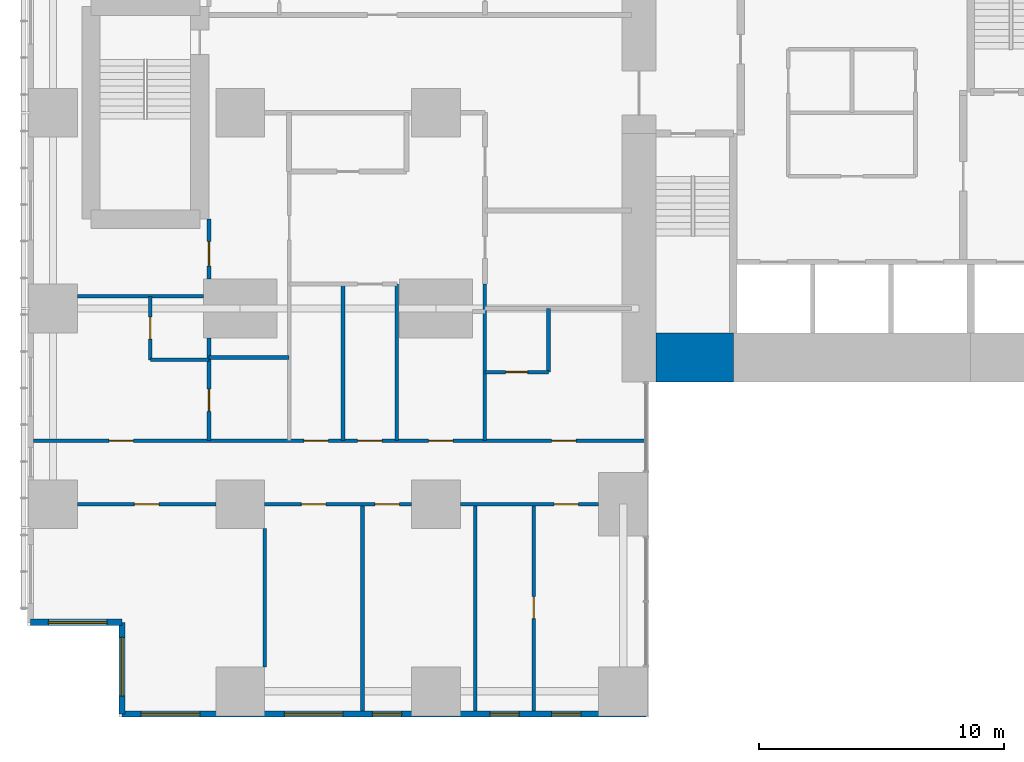
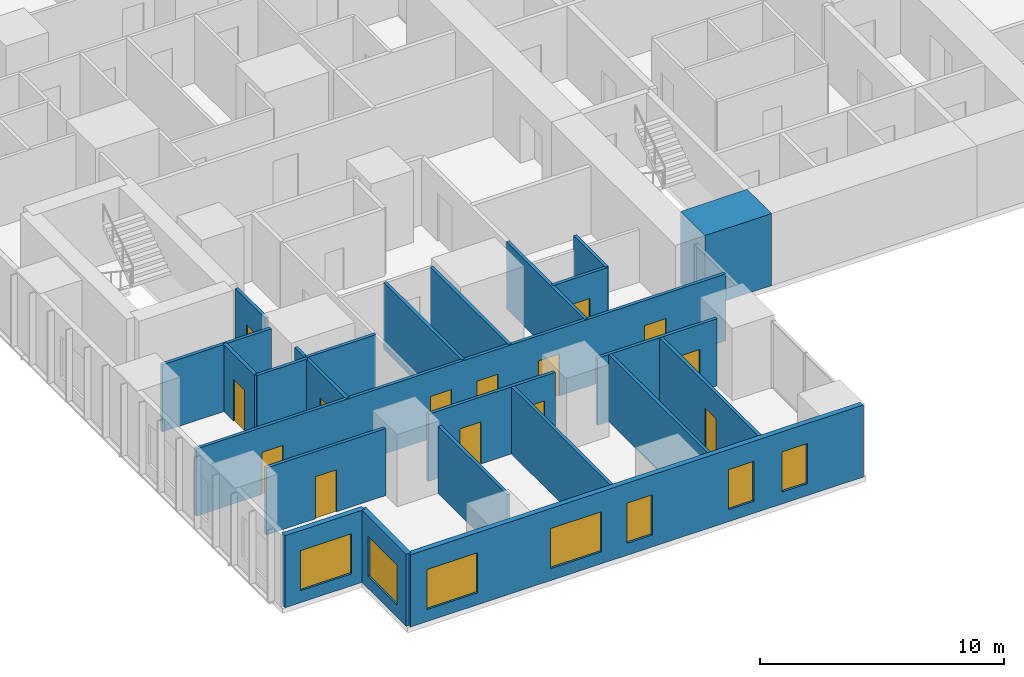
# One storey, part 12 of 20: 23 walls, 14 doors, 7 windows, 21 openings.
"""IFC4 building model written with IfcOpenShell, lengths in metres."""

from ifc_helpers import new_model, si_unit, direction, frame, frame_2d, origin, place, context, subcontext, project, spatial, rectangle, extrude, material, layer, layer_set, type_object, element, fill, save


model = new_model("IFC4")

# Units and contexts
model_context = context("Model", 3, precision=1e-05, world=origin(), true_north=direction((0.0, 1.0)))
body_context = subcontext(model_context, "Body", "Model", "MODEL_VIEW")
ifc_project = project(units=[si_unit("LENGTHUNIT", "METRE"), si_unit("AREAUNIT", "SQUARE_METRE"), si_unit("VOLUMEUNIT", "CUBIC_METRE"), si_unit("PLANEANGLEUNIT", "RADIAN"), si_unit("MASSUNIT", "GRAM", prefix="KILO")], contexts=[model_context])

# Site, building, storey
site_placement = place(None, origin())
site = spatial("IfcSite", under=ifc_project, at=site_placement, CompositionType="ELEMENT")
building_placement = place(site_placement, origin())
building = spatial("IfcBuilding", under=site, at=building_placement, Name="Cleftline Residences", CompositionType="ELEMENT")
storey_placement = place(building_placement, frame((0.0, 0.0, 47.60009765625)))
storey = spatial("IfcBuildingStorey", under=building, at=storey_placement, Name="L11", CompositionType="ELEMENT", Elevation=47.60009765625)

# Wall
ifc_material_1 = material(Name="Concrete B70", Category="concrete")
ifc_layer_1 = layer(ifc_material_1, 2.0)
ifc_layer_set_1 = layer_set([ifc_layer_1], Name="CORE WALL 2000")
wall_type_1 = type_object("IfcWallType", Name="CORE WALL 2000", PredefinedType="SHEAR", material=ifc_layer_set_1)
wall_1_placement = place(storey_placement, frame((25.0, 14.0, 0.0), z_axis=(0.0, 0.0, 1.0), x_axis=(1.0, 0.0, 0.0)))
element("IfcWall", 1, at=wall_1_placement, inside=storey, type_object=wall_type_1, Name="Core wall S1", PredefinedType="SHEAR", context=body_context, shape_type="SweptSolid", body=[
    extrude(rectangle(XDim=3.14990234375, YDim=2.0, at=frame_2d((1.574951171875, 0.0))), origin(), (0.0, 0.0, 1.0), 3.599853515625),
])

# Wall, opening, window
ifc_material_2 = material(Name="Rendered reinforced concrete blockwork", Category="masonry")
ifc_layer_2 = layer(ifc_material_2, 0.25)
ifc_layer_set_2 = layer_set([ifc_layer_2], Name="EXTERNAL WALL 250")
wall_type_2 = type_object("IfcWallType", Name="EXTERNAL WALL 250", PredefinedType="SOLIDWALL", material=ifc_layer_set_2)
wall_2_placement = place(storey_placement, frame((-0.574951171875, 3.175048828125, 0.0), z_axis=(0.0, 0.0, 1.0), x_axis=(1.0, 0.0, 0.0)))
wall_2 = element("IfcWall", 2, at=wall_2_placement, inside=storey, type_object=wall_type_2, Name="External wall", PredefinedType="SOLIDWALL", context=body_context, shape_type="SweptSolid", body=[
    extrude(rectangle(XDim=3.75, YDim=0.25, at=frame_2d((1.875, 0.0))), origin(), (0.0, 0.0, 1.0), 3.599853515625),
])
opening_1_placement = place(wall_2_placement, frame((0.737548828125, 0.0, 0.60009765625)))
opening_1 = element("IfcOpeningElement", 3, at=opening_1_placement, cuts=wall_2, Name="Opening W6", PredefinedType="OPENING", context=body_context, shape_type="SweptSolid", body=[
    extrude(rectangle(XDim=2.39990234375, YDim=2.0, at=frame_2d((1.199951171875, 1.0))), frame((0.0, 0.135009765625, 0.0), z_axis=(0.0, -1.0, 0.0), x_axis=(1.0, 0.0, 0.0)), (0.0, 0.0, 1.0), 0.27001953125),
])
ifc_material_3 = material(Name="Aluminium frame, clear double glazing", Category="aluminium")
window_type_1 = type_object("IfcWindowType", Name="WINDOW 2400X2000", PartitioningType="DOUBLE_PANEL_VERTICAL", PredefinedType="WINDOW", material=ifc_material_3)
window_1_placement = place(opening_1_placement, origin())
window_1 = element("IfcWindow", 4, at=window_1_placement, inside=storey, type_object=window_type_1, Name="Window", OverallHeight=2.0, OverallWidth=2.39990234375, PartitioningType="SINGLE_PANEL", PredefinedType="WINDOW", context=body_context, shape_type="SweptSolid", body=[
    extrude(rectangle(XDim=2.39990234375, YDim=2.0, at=frame_2d((1.199951171875, 1.0))), frame((0.0, 0.030029296875, 0.0), z_axis=(0.0, -1.0, 0.0), x_axis=(1.0, 0.0, 0.0)), (0.0, 0.0, 1.0), 0.06005859375),
])
fill(opening_1, window_1)

wall_3_placement = place(storey_placement, frame((3.175048828125, 3.175048828125, 0.0), z_axis=(0.0, 0.0, 1.0), x_axis=(0.0, -1.0, 0.0)))
wall_3 = element("IfcWall", 5, at=wall_3_placement, inside=storey, type_object=wall_type_2, Name="External wall", PredefinedType="SOLIDWALL", context=body_context, shape_type="SweptSolid", body=[
    extrude(rectangle(XDim=3.75, YDim=0.25, at=frame_2d((1.875, 0.0))), origin(), (0.0, 0.0, 1.0), 3.599853515625),
])
opening_2_placement = place(wall_3_placement, frame((0.612548828125, 0.0, 0.60009765625)))
opening_2 = element("IfcOpeningElement", 6, at=opening_2_placement, cuts=wall_3, Name="Opening W6", PredefinedType="OPENING", context=body_context, shape_type="SweptSolid", body=[
    extrude(rectangle(XDim=2.39990234375, YDim=2.0, at=frame_2d((1.199951171875, 1.0))), frame((0.0, 0.135009765625, 0.0), z_axis=(0.0, -1.0, 0.0), x_axis=(1.0, 0.0, 0.0)), (0.0, 0.0, 1.0), 0.27001953125),
])
window_2_placement = place(opening_2_placement, origin())
window_2 = element("IfcWindow", 7, at=window_2_placement, inside=storey, type_object=window_type_1, Name="Window", OverallHeight=2.0, OverallWidth=2.39990234375, PartitioningType="SINGLE_PANEL", PredefinedType="WINDOW", context=body_context, shape_type="SweptSolid", body=[
    extrude(rectangle(XDim=2.39990234375, YDim=2.0, at=frame_2d((1.199951171875, 1.0))), frame((0.0, 0.030029296875, 0.0), z_axis=(0.0, -1.0, 0.0), x_axis=(1.0, 0.0, 0.0)), (0.0, 0.0, 1.0), 0.06005859375),
])
fill(opening_2, window_2)

# Wall, openings, windows
wall_4_placement = place(storey_placement, frame((3.175048828125, -0.574951171875, 0.0), z_axis=(0.0, 0.0, 1.0), x_axis=(1.0, 0.0, 0.0)))
wall_4 = element("IfcWall", 8, at=wall_4_placement, inside=storey, type_object=wall_type_2, Name="External wall", PredefinedType="SOLIDWALL", context=body_context, shape_type="SweptSolid", body=[
    extrude(rectangle(XDim=21.39990234375, YDim=0.25, at=frame_2d((10.699951171875, 0.0))), origin(), (0.0, 0.0, 1.0), 3.599853515625),
])
opening_3_placement = place(wall_4_placement, frame((0.77490234375, 0.0, 0.60009765625)))
opening_3 = element("IfcOpeningElement", 9, at=opening_3_placement, cuts=wall_4, Name="Opening W6", PredefinedType="OPENING", context=body_context, shape_type="SweptSolid", body=[
    extrude(rectangle(XDim=2.39990234375, YDim=2.0, at=frame_2d((1.199951171875, 1.0))), frame((0.0, 0.135009765625, 0.0), z_axis=(0.0, -1.0, 0.0), x_axis=(1.0, 0.0, 0.0)), (0.0, 0.0, 1.0), 0.27001953125),
])
opening_4_placement = place(wall_4_placement, frame((6.625, 0.0, 0.60009765625)))
opening_4 = element("IfcOpeningElement", 10, at=opening_4_placement, cuts=wall_4, Name="Opening W6", PredefinedType="OPENING", context=body_context, shape_type="SweptSolid", body=[
    extrude(rectangle(XDim=2.39990234375, YDim=2.0, at=frame_2d((1.199951171875, 1.0))), frame((0.0, 0.135009765625, 0.0), z_axis=(0.0, -1.0, 0.0), x_axis=(1.0, 0.0, 0.0)), (0.0, 0.0, 1.0), 0.27001953125),
])
opening_5_placement = place(wall_4_placement, frame((10.22509765625, 0.0, 0.60009765625)))
opening_5 = element("IfcOpeningElement", 11, at=opening_5_placement, cuts=wall_4, Name="Opening W8", PredefinedType="OPENING", context=body_context, shape_type="SweptSolid", body=[
    extrude(rectangle(XDim=1.199951171875, YDim=2.0, at=frame_2d((0.60009765625, 1.0))), frame((0.0, 0.135009765625, 0.0), z_axis=(0.0, -1.0, 0.0), x_axis=(1.0, 0.0, 0.0)), (0.0, 0.0, 1.0), 0.27001953125),
])
opening_6_placement = place(wall_4_placement, frame((15.02490234375, 0.0, 0.60009765625)))
opening_6 = element("IfcOpeningElement", 12, at=opening_6_placement, cuts=wall_4, Name="Opening W8", PredefinedType="OPENING", context=body_context, shape_type="SweptSolid", body=[
    extrude(rectangle(XDim=1.199951171875, YDim=2.0, at=frame_2d((0.60009765625, 1.0))), frame((0.0, 0.135009765625, 0.0), z_axis=(0.0, -1.0, 0.0), x_axis=(1.0, 0.0, 0.0)), (0.0, 0.0, 1.0), 0.27001953125),
])
opening_7_placement = place(wall_4_placement, frame((17.550048828125, 0.0, 0.60009765625)))
opening_7 = element("IfcOpeningElement", 13, at=opening_7_placement, cuts=wall_4, Name="Opening W8", PredefinedType="OPENING", context=body_context, shape_type="SweptSolid", body=[
    extrude(rectangle(XDim=1.199951171875, YDim=2.0, at=frame_2d((0.60009765625, 1.0))), frame((0.0, 0.135009765625, 0.0), z_axis=(0.0, -1.0, 0.0), x_axis=(1.0, 0.0, 0.0)), (0.0, 0.0, 1.0), 0.27001953125),
])
ifc_material_4 = material(Name="Aluminium frame, clear double glazing", Category="aluminium")
window_type_2 = type_object("IfcWindowType", Name="WINDOW 1200X2000", PartitioningType="DOUBLE_PANEL_VERTICAL", PredefinedType="WINDOW", material=ifc_material_4)
window_3_placement = place(opening_5_placement, origin())
window_3 = element("IfcWindow", 14, at=window_3_placement, inside=storey, type_object=window_type_2, Name="Window", OverallHeight=2.0, OverallWidth=1.199951171875, PartitioningType="SINGLE_PANEL", PredefinedType="WINDOW", context=body_context, shape_type="SweptSolid", body=[
    extrude(rectangle(XDim=1.199951171875, YDim=2.0, at=frame_2d((0.60009765625, 1.0))), frame((0.0, 0.030029296875, 0.0), z_axis=(0.0, -1.0, 0.0), x_axis=(1.0, 0.0, 0.0)), (0.0, 0.0, 1.0), 0.06005859375),
])
fill(opening_5, window_3)
window_4_placement = place(opening_6_placement, origin())
window_4 = element("IfcWindow", 15, at=window_4_placement, inside=storey, type_object=window_type_2, Name="Window", OverallHeight=2.0, OverallWidth=1.199951171875, PartitioningType="SINGLE_PANEL", PredefinedType="WINDOW", context=body_context, shape_type="SweptSolid", body=[
    extrude(rectangle(XDim=1.199951171875, YDim=2.0, at=frame_2d((0.60009765625, 1.0))), frame((0.0, 0.030029296875, 0.0), z_axis=(0.0, -1.0, 0.0), x_axis=(1.0, 0.0, 0.0)), (0.0, 0.0, 1.0), 0.06005859375),
])
fill(opening_6, window_4)
window_5_placement = place(opening_7_placement, origin())
window_5 = element("IfcWindow", 16, at=window_5_placement, inside=storey, type_object=window_type_2, Name="Window", OverallHeight=2.0, OverallWidth=1.199951171875, PartitioningType="SINGLE_PANEL", PredefinedType="WINDOW", context=body_context, shape_type="SweptSolid", body=[
    extrude(rectangle(XDim=1.199951171875, YDim=2.0, at=frame_2d((0.60009765625, 1.0))), frame((0.0, 0.030029296875, 0.0), z_axis=(0.0, -1.0, 0.0), x_axis=(1.0, 0.0, 0.0)), (0.0, 0.0, 1.0), 0.06005859375),
])
fill(opening_7, window_5)
window_6_placement = place(opening_3_placement, origin())
window_6 = element("IfcWindow", 17, at=window_6_placement, inside=storey, type_object=window_type_1, Name="Window", OverallHeight=2.0, OverallWidth=2.39990234375, PartitioningType="SINGLE_PANEL", PredefinedType="WINDOW", context=body_context, shape_type="SweptSolid", body=[
    extrude(rectangle(XDim=2.39990234375, YDim=2.0, at=frame_2d((1.199951171875, 1.0))), frame((0.0, 0.030029296875, 0.0), z_axis=(0.0, -1.0, 0.0), x_axis=(1.0, 0.0, 0.0)), (0.0, 0.0, 1.0), 0.06005859375),
])
fill(opening_3, window_6)
window_7_placement = place(opening_4_placement, origin())
window_7 = element("IfcWindow", 18, at=window_7_placement, inside=storey, type_object=window_type_1, Name="Window", OverallHeight=2.0, OverallWidth=2.39990234375, PartitioningType="SINGLE_PANEL", PredefinedType="WINDOW", context=body_context, shape_type="SweptSolid", body=[
    extrude(rectangle(XDim=2.39990234375, YDim=2.0, at=frame_2d((1.199951171875, 1.0))), frame((0.0, 0.030029296875, 0.0), z_axis=(0.0, -1.0, 0.0), x_axis=(1.0, 0.0, 0.0)), (0.0, 0.0, 1.0), 0.06005859375),
])
fill(opening_4, window_7)

# Wall, opening, door
ifc_material_5 = material(Name="Gypsum board on steel studs", Category="steel")
ifc_layer_3 = layer(ifc_material_5, 0.14990234375)
ifc_layer_set_3 = layer_set([ifc_layer_3], Name="PARTITION 150")
wall_type_3 = type_object("IfcWallType", Name="PARTITION 150", PredefinedType="PARTITIONING", material=ifc_layer_set_3)
wall_5_placement = place(storey_placement, frame((1.35009765625, 8.0, 0.0), z_axis=(0.0, 0.0, 1.0), x_axis=(1.0, 0.0, 0.0)))
wall_5 = element("IfcWall", 19, at=wall_5_placement, inside=storey, type_object=wall_type_3, Name="Partition", PredefinedType="PARTITIONING", context=body_context, shape_type="SweptSolid", body=[
    extrude(rectangle(XDim=5.64990234375, YDim=0.14990234375, at=frame_2d((2.824951171875, 0.0))), origin(), (0.0, 0.0, 1.0), 3.349853515625),
])
opening_8_placement = place(wall_5_placement, frame((2.324951171875, 0.0, 0.0)))
opening_8 = element("IfcOpeningElement", 20, at=opening_8_placement, cuts=wall_5, Name="Opening D2", PredefinedType="OPENING", context=body_context, shape_type="SweptSolid", body=[
    extrude(rectangle(XDim=1.0, YDim=2.10009765625, at=frame_2d((0.5, 1.050048828125))), frame((0.0, 0.0849609375, 0.0), z_axis=(0.0, -1.0, 0.0), x_axis=(1.0, 0.0, 0.0)), (0.0, 0.0, 1.0), 0.169921875),
])
ifc_material_6 = material(Name="Timber veneer on solid core", Category="wood")
door_type_1 = type_object("IfcDoorType", Name="DOOR 1000X2100", OperationType="SINGLE_SWING_LEFT", PredefinedType="DOOR", material=ifc_material_6)
door_1_placement = place(opening_8_placement, origin())
door_1 = element("IfcDoor", 21, at=door_1_placement, inside=storey, type_object=door_type_1, Name="Door to living room", OperationType="SINGLE_SWING_LEFT", OverallHeight=2.10009765625, OverallWidth=1.0, PredefinedType="DOOR", context=body_context, shape_type="SweptSolid", body=[
    extrude(rectangle(XDim=1.0, YDim=2.10009765625, at=frame_2d((0.5, 1.050048828125))), frame((0.0, 0.02490234375, 0.0), z_axis=(0.0, -1.0, 0.0), x_axis=(1.0, 0.0, 0.0)), (0.0, 0.0, 1.0), 0.050048828125),
])
fill(opening_8, door_1)

# Wall, openings, doors
wall_6_placement = place(storey_placement, frame((9.0, 8.0, 0.0), z_axis=(0.0, 0.0, 1.0), x_axis=(1.0, 0.0, 0.0)))
wall_6 = element("IfcWall", 22, at=wall_6_placement, inside=storey, type_object=wall_type_3, Name="Partition", PredefinedType="PARTITIONING", context=body_context, shape_type="SweptSolid", body=[
    extrude(rectangle(XDim=6.0, YDim=0.14990234375, at=frame_2d((3.0, 0.0))), origin(), (0.0, 0.0, 1.0), 3.349853515625),
])
opening_9_placement = place(wall_6_placement, frame((1.5, 0.0, 0.0)))
opening_9 = element("IfcOpeningElement", 23, at=opening_9_placement, cuts=wall_6, Name="Opening D2", PredefinedType="OPENING", context=body_context, shape_type="SweptSolid", body=[
    extrude(rectangle(XDim=1.0, YDim=2.10009765625, at=frame_2d((0.5, 1.050048828125))), frame((0.0, 0.0849609375, 0.0), z_axis=(0.0, -1.0, 0.0), x_axis=(1.0, 0.0, 0.0)), (0.0, 0.0, 1.0), 0.169921875),
])
opening_10_placement = place(wall_6_placement, frame((4.5, 0.0, 0.0)))
opening_10 = element("IfcOpeningElement", 24, at=opening_10_placement, cuts=wall_6, Name="Opening D2", PredefinedType="OPENING", context=body_context, shape_type="SweptSolid", body=[
    extrude(rectangle(XDim=1.0, YDim=2.10009765625, at=frame_2d((0.5, 1.050048828125))), frame((0.0, 0.0849609375, 0.0), z_axis=(0.0, -1.0, 0.0), x_axis=(1.0, 0.0, 0.0)), (0.0, 0.0, 1.0), 0.169921875),
])
door_2_placement = place(opening_9_placement, origin())
door_2 = element("IfcDoor", 25, at=door_2_placement, inside=storey, type_object=door_type_1, Name="Door to dining room", OperationType="SINGLE_SWING_RIGHT", OverallHeight=2.10009765625, OverallWidth=1.0, PredefinedType="DOOR", context=body_context, shape_type="SweptSolid", body=[
    extrude(rectangle(XDim=1.0, YDim=2.10009765625, at=frame_2d((0.5, 1.050048828125))), frame((0.0, 0.02490234375, 0.0), z_axis=(0.0, -1.0, 0.0), x_axis=(1.0, 0.0, 0.0)), (0.0, 0.0, 1.0), 0.050048828125),
])
fill(opening_9, door_2)
door_3_placement = place(opening_10_placement, origin())
door_3 = element("IfcDoor", 26, at=door_3_placement, inside=storey, type_object=door_type_1, Name="Door to show kitchen", OperationType="SINGLE_SWING_LEFT", OverallHeight=2.10009765625, OverallWidth=1.0, PredefinedType="DOOR", context=body_context, shape_type="SweptSolid", body=[
    extrude(rectangle(XDim=1.0, YDim=2.10009765625, at=frame_2d((0.5, 1.050048828125))), frame((0.0, 0.02490234375, 0.0), z_axis=(0.0, -1.0, 0.0), x_axis=(1.0, 0.0, 0.0)), (0.0, 0.0, 1.0), 0.050048828125),
])
fill(opening_10, door_3)

# Wall, opening, door
wall_7_placement = place(storey_placement, frame((17.0, 8.0, 0.0), z_axis=(0.0, 0.0, 1.0), x_axis=(1.0, 0.0, 0.0)))
wall_7 = element("IfcWall", 27, at=wall_7_placement, inside=storey, type_object=wall_type_3, Name="Partition", PredefinedType="PARTITIONING", context=body_context, shape_type="SweptSolid", body=[
    extrude(rectangle(XDim=5.64990234375, YDim=0.14990234375, at=frame_2d((2.824951171875, 0.0))), origin(), (0.0, 0.0, 1.0), 3.349853515625),
])
opening_11_placement = place(wall_7_placement, frame((3.824951171875, 0.0, 0.0)))
opening_11 = element("IfcOpeningElement", 28, at=opening_11_placement, cuts=wall_7, Name="Opening D2", PredefinedType="OPENING", context=body_context, shape_type="SweptSolid", body=[
    extrude(rectangle(XDim=1.0, YDim=2.10009765625, at=frame_2d((0.5, 1.050048828125))), frame((0.0, 0.0849609375, 0.0), z_axis=(0.0, -1.0, 0.0), x_axis=(1.0, 0.0, 0.0)), (0.0, 0.0, 1.0), 0.169921875),
])
door_4_placement = place(opening_11_placement, origin())
door_4 = element("IfcDoor", 29, at=door_4_placement, inside=storey, type_object=door_type_1, Name="Door to bedroom 2", OperationType="SINGLE_SWING_LEFT", OverallHeight=2.10009765625, OverallWidth=1.0, PredefinedType="DOOR", context=body_context, shape_type="SweptSolid", body=[
    extrude(rectangle(XDim=1.0, YDim=2.10009765625, at=frame_2d((0.5, 1.050048828125))), frame((0.0, 0.02490234375, 0.0), z_axis=(0.0, -1.0, 0.0), x_axis=(1.0, 0.0, 0.0)), (0.0, 0.0, 1.0), 0.050048828125),
])
fill(opening_11, door_4)

# Wall, openings, doors
wall_8_placement = place(storey_placement, frame((-0.449951171875, 10.60009765625, 0.0), z_axis=(0.0, 0.0, 1.0), x_axis=(1.0, 0.0, 0.0)))
wall_8 = element("IfcWall", 30, at=wall_8_placement, inside=storey, type_object=wall_type_3, Name="Partition", PredefinedType="PARTITIONING", context=body_context, shape_type="SweptSolid", body=[
    extrude(rectangle(XDim=25.010986328125, YDim=0.14990234375, at=frame_2d((12.50537109375, 0.0))), origin(), (0.0, 0.0, 1.0), 3.349853515625),
])
opening_12_placement = place(wall_8_placement, frame((13.25, 0.0, 0.0)))
opening_12 = element("IfcOpeningElement", 31, at=opening_12_placement, cuts=wall_8, Name="Opening D2", PredefinedType="OPENING", context=body_context, shape_type="SweptSolid", body=[
    extrude(rectangle(XDim=1.0, YDim=2.10009765625, at=frame_2d((0.5, 1.050048828125))), frame((0.0, 0.0849609375, 0.0), z_axis=(0.0, -1.0, 0.0), x_axis=(1.0, 0.0, 0.0)), (0.0, 0.0, 1.0), 0.169921875),
])
opening_13_placement = place(wall_8_placement, frame((3.08740234375, 0.0, 0.0)))
opening_13 = element("IfcOpeningElement", 32, at=opening_13_placement, cuts=wall_8, Name="Opening D2", PredefinedType="OPENING", context=body_context, shape_type="SweptSolid", body=[
    extrude(rectangle(XDim=1.0, YDim=2.10009765625, at=frame_2d((0.5, 1.050048828125))), frame((0.0, 0.0849609375, 0.0), z_axis=(0.0, -1.0, 0.0), x_axis=(1.0, 0.0, 0.0)), (0.0, 0.0, 1.0), 0.169921875),
])
opening_14_placement = place(wall_8_placement, frame((11.050048828125, 0.0, 0.0)))
opening_14 = element("IfcOpeningElement", 33, at=opening_14_placement, cuts=wall_8, Name="Opening D2", PredefinedType="OPENING", context=body_context, shape_type="SweptSolid", body=[
    extrude(rectangle(XDim=1.0, YDim=2.10009765625, at=frame_2d((0.5, 1.050048828125))), frame((0.0, 0.0849609375, 0.0), z_axis=(0.0, -1.0, 0.0), x_axis=(1.0, 0.0, 0.0)), (0.0, 0.0, 1.0), 0.169921875),
])
opening_15_placement = place(wall_8_placement, frame((16.14990234375, 0.0, 0.0)))
opening_15 = element("IfcOpeningElement", 34, at=opening_15_placement, cuts=wall_8, Name="Opening D2", PredefinedType="OPENING", context=body_context, shape_type="SweptSolid", body=[
    extrude(rectangle(XDim=1.0, YDim=2.10009765625, at=frame_2d((0.5, 1.050048828125))), frame((0.0, 0.0849609375, 0.0), z_axis=(0.0, -1.0, 0.0), x_axis=(1.0, 0.0, 0.0)), (0.0, 0.0, 1.0), 0.169921875),
])
opening_16_placement = place(wall_8_placement, frame((21.175048828125, 0.0, 0.0)))
opening_16 = element("IfcOpeningElement", 35, at=opening_16_placement, cuts=wall_8, Name="Opening D2", PredefinedType="OPENING", context=body_context, shape_type="SweptSolid", body=[
    extrude(rectangle(XDim=1.0, YDim=2.10009765625, at=frame_2d((0.5, 1.050048828125))), frame((0.0, 0.0849609375, 0.0), z_axis=(0.0, -1.0, 0.0), x_axis=(1.0, 0.0, 0.0)), (0.0, 0.0, 1.0), 0.169921875),
])
door_5_placement = place(opening_12_placement, origin())
door_5 = element("IfcDoor", 36, at=door_5_placement, inside=storey, type_object=door_type_1, Name="Door to residence hall", OperationType="SINGLE_SWING_LEFT", OverallHeight=2.10009765625, OverallWidth=1.0, PredefinedType="DOOR", context=body_context, shape_type="SweptSolid", body=[
    extrude(rectangle(XDim=1.0, YDim=2.10009765625, at=frame_2d((0.5, 1.050048828125))), frame((0.0, 0.02490234375, 0.0), z_axis=(0.0, -1.0, 0.0), x_axis=(1.0, 0.0, 0.0)), (0.0, 0.0, 1.0), 0.050048828125),
])
fill(opening_12, door_5)
door_6_placement = place(opening_13_placement, origin())
door_6 = element("IfcDoor", 37, at=door_6_placement, inside=storey, type_object=door_type_1, Name="Door to master bedroom", OperationType="SINGLE_SWING_RIGHT", OverallHeight=2.10009765625, OverallWidth=1.0, PredefinedType="DOOR", context=body_context, shape_type="SweptSolid", body=[
    extrude(rectangle(XDim=1.0, YDim=2.10009765625, at=frame_2d((0.5, 1.050048828125))), frame((0.0, 0.02490234375, 0.0), z_axis=(0.0, -1.0, 0.0), x_axis=(1.0, 0.0, 0.0)), (0.0, 0.0, 1.0), 0.050048828125),
])
fill(opening_13, door_6)
door_7_placement = place(opening_14_placement, origin())
door_7 = element("IfcDoor", 38, at=door_7_placement, inside=storey, type_object=door_type_1, Name="Door to wet kitchen", OperationType="SINGLE_SWING_RIGHT", OverallHeight=2.10009765625, OverallWidth=1.0, PredefinedType="DOOR", context=body_context, shape_type="SweptSolid", body=[
    extrude(rectangle(XDim=1.0, YDim=2.10009765625, at=frame_2d((0.5, 1.050048828125))), frame((0.0, 0.02490234375, 0.0), z_axis=(0.0, -1.0, 0.0), x_axis=(1.0, 0.0, 0.0)), (0.0, 0.0, 1.0), 0.050048828125),
])
fill(opening_14, door_7)
door_8_placement = place(opening_15_placement, origin())
door_8 = element("IfcDoor", 39, at=door_8_placement, inside=storey, type_object=door_type_1, Name="Door to family room", OperationType="SINGLE_SWING_LEFT", OverallHeight=2.10009765625, OverallWidth=1.0, PredefinedType="DOOR", context=body_context, shape_type="SweptSolid", body=[
    extrude(rectangle(XDim=1.0, YDim=2.10009765625, at=frame_2d((0.5, 1.050048828125))), frame((0.0, 0.02490234375, 0.0), z_axis=(0.0, -1.0, 0.0), x_axis=(1.0, 0.0, 0.0)), (0.0, 0.0, 1.0), 0.050048828125),
])
fill(opening_15, door_8)
door_9_placement = place(opening_16_placement, origin())
door_9 = element("IfcDoor", 40, at=door_9_placement, inside=storey, type_object=door_type_1, Name="Door to bedroom 3", OperationType="SINGLE_SWING_LEFT", OverallHeight=2.10009765625, OverallWidth=1.0, PredefinedType="DOOR", context=body_context, shape_type="SweptSolid", body=[
    extrude(rectangle(XDim=1.0, YDim=2.10009765625, at=frame_2d((0.5, 1.050048828125))), frame((0.0, 0.02490234375, 0.0), z_axis=(0.0, -1.0, 0.0), x_axis=(1.0, 0.0, 0.0)), (0.0, 0.0, 1.0), 0.050048828125),
])
fill(opening_16, door_9)

# Wall, opening, door
wall_9_placement = place(storey_placement, frame((18.0, 13.39990234375, 0.0), z_axis=(0.0, 0.0, 1.0), x_axis=(1.0, 0.0, 0.0)))
wall_9 = element("IfcWall", 41, at=wall_9_placement, inside=storey, type_object=wall_type_3, Name="Partition", PredefinedType="PARTITIONING", context=body_context, shape_type="SweptSolid", body=[
    extrude(rectangle(XDim=2.60009765625, YDim=0.14990234375, at=frame_2d((1.300048828125, 0.0))), origin(), (0.0, 0.0, 1.0), 3.349853515625),
])
opening_17_placement = place(wall_9_placement, frame((0.85009765625, 0.0, 0.0)))
opening_17 = element("IfcOpeningElement", 42, at=opening_17_placement, cuts=wall_9, Name="Opening D1", PredefinedType="OPENING", context=body_context, shape_type="SweptSolid", body=[
    extrude(rectangle(XDim=0.89990234375, YDim=2.10009765625, at=frame_2d((0.449951171875, 1.050048828125))), frame((0.0, 0.0849609375, 0.0), z_axis=(0.0, -1.0, 0.0), x_axis=(1.0, 0.0, 0.0)), (0.0, 0.0, 1.0), 0.169921875),
])
ifc_material_7 = material(Name="Timber veneer on solid core", Category="wood")
door_type_2 = type_object("IfcDoorType", Name="DOOR 900X2100", OperationType="SINGLE_SWING_LEFT", PredefinedType="DOOR", material=ifc_material_7)
door_10_placement = place(opening_17_placement, origin())
door_10 = element("IfcDoor", 43, at=door_10_placement, inside=storey, type_object=door_type_2, Name="Door to en-suite bathroom 3", OperationType="SINGLE_SWING_LEFT", OverallHeight=2.10009765625, OverallWidth=0.89990234375, PredefinedType="DOOR", context=body_context, shape_type="SweptSolid", body=[
    extrude(rectangle(XDim=0.89990234375, YDim=2.10009765625, at=frame_2d((0.449951171875, 1.050048828125))), frame((0.0, 0.02490234375, 0.0), z_axis=(0.0, -1.0, 0.0), x_axis=(1.0, 0.0, 0.0)), (0.0, 0.0, 1.0), 0.050048828125),
])
fill(opening_17, door_10)

# Walls
wall_10_placement = place(storey_placement, frame((4.324951171875, 13.89990234375, 0.0), z_axis=(0.0, 0.0, 1.0), x_axis=(1.0, 0.0, 0.0)))
element("IfcWall", 44, at=wall_10_placement, inside=storey, type_object=wall_type_3, Name="Partition", PredefinedType="PARTITIONING", context=body_context, shape_type="SweptSolid", body=[
    extrude(rectangle(XDim=2.400146484375, YDim=0.14990234375, at=frame_2d((1.2001953125, 0.0))), origin(), (0.0, 0.0, 1.0), 3.349853515625),
])
wall_11_placement = place(storey_placement, frame((6.72509765625, 14.0, 0.0), z_axis=(0.0, 0.0, 1.0), x_axis=(1.0, 0.0, 0.0)))
element("IfcWall", 45, at=wall_11_placement, inside=storey, type_object=wall_type_3, Name="Partition", PredefinedType="PARTITIONING", context=body_context, shape_type="SweptSolid", body=[
    extrude(rectangle(XDim=3.27490234375, YDim=0.14990234375, at=frame_2d((1.637451171875, 0.0))), origin(), (0.0, 0.0, 1.0), 3.349853515625),
])
wall_12_placement = place(storey_placement, frame((1.35009765625, 16.5, 0.0), z_axis=(0.0, 0.0, 1.0), x_axis=(1.0, 0.0, 0.0)))
element("IfcWall", 46, at=wall_12_placement, inside=storey, type_object=wall_type_3, Name="Partition", PredefinedType="PARTITIONING", context=body_context, shape_type="SweptSolid", body=[
    extrude(rectangle(XDim=5.14990234375, YDim=0.14990234375, at=frame_2d((2.574951171875, 0.0))), origin(), (0.0, 0.0, 1.0), 3.349853515625),
])

# Wall, opening, door
wall_13_placement = place(storey_placement, frame((4.324951171875, 13.89990234375, 0.0), z_axis=(0.0, 0.0, 1.0), x_axis=(0.0, 1.0, 0.0)))
wall_13 = element("IfcWall", 47, at=wall_13_placement, inside=storey, type_object=wall_type_3, Name="Partition", PredefinedType="PARTITIONING", context=body_context, shape_type="SweptSolid", body=[
    extrude(rectangle(XDim=2.60009765625, YDim=0.14990234375, at=frame_2d((1.300048828125, 0.0))), origin(), (0.0, 0.0, 1.0), 3.349853515625),
])
opening_18_placement = place(wall_13_placement, frame((0.85009765625, 0.0, 0.0)))
opening_18 = element("IfcOpeningElement", 48, at=opening_18_placement, cuts=wall_13, Name="Opening D1", PredefinedType="OPENING", context=body_context, shape_type="SweptSolid", body=[
    extrude(rectangle(XDim=0.89990234375, YDim=2.10009765625, at=frame_2d((0.449951171875, 1.050048828125))), frame((0.0, 0.0849609375, 0.0), z_axis=(0.0, -1.0, 0.0), x_axis=(1.0, 0.0, 0.0)), (0.0, 0.0, 1.0), 0.169921875),
])
door_11_placement = place(opening_18_placement, origin())
door_11 = element("IfcDoor", 49, at=door_11_placement, inside=storey, type_object=door_type_2, Name="Door to master bathroom", OperationType="SINGLE_SWING_LEFT", OverallHeight=2.10009765625, OverallWidth=0.89990234375, PredefinedType="DOOR", context=body_context, shape_type="SweptSolid", body=[
    extrude(rectangle(XDim=0.89990234375, YDim=2.10009765625, at=frame_2d((0.449951171875, 1.050048828125))), frame((0.0, 0.02490234375, 0.0), z_axis=(0.0, -1.0, 0.0), x_axis=(1.0, 0.0, 0.0)), (0.0, 0.0, 1.0), 0.050048828125),
])
fill(opening_18, door_11)

wall_14_placement = place(storey_placement, frame((6.72509765625, 10.60009765625, 0.0), z_axis=(0.0, 0.0, 1.0), x_axis=(0.0, 1.0, 0.0)))
wall_14 = element("IfcWall", 50, at=wall_14_placement, inside=storey, type_object=wall_type_3, Name="Partition", PredefinedType="PARTITIONING", context=body_context, shape_type="SweptSolid", body=[
    extrude(rectangle(XDim=4.199951171875, YDim=0.14990234375, at=frame_2d((2.10009765625, 0.0))), origin(), (0.0, 0.0, 1.0), 3.349853515625),
])
opening_19_placement = place(wall_14_placement, frame((1.199951171875, 0.0, 0.0)))
opening_19 = element("IfcOpeningElement", 51, at=opening_19_placement, cuts=wall_14, Name="Opening D1", PredefinedType="OPENING", context=body_context, shape_type="SweptSolid", body=[
    extrude(rectangle(XDim=0.89990234375, YDim=2.10009765625, at=frame_2d((0.449951171875, 1.050048828125))), frame((0.0, 0.0849609375, 0.0), z_axis=(0.0, -1.0, 0.0), x_axis=(1.0, 0.0, 0.0)), (0.0, 0.0, 1.0), 0.169921875),
])
door_12_placement = place(opening_19_placement, origin())
door_12 = element("IfcDoor", 52, at=door_12_placement, inside=storey, type_object=door_type_2, Name="Door to master dressing room", OperationType="SINGLE_SWING_RIGHT", OverallHeight=2.10009765625, OverallWidth=0.89990234375, PredefinedType="DOOR", context=body_context, shape_type="SweptSolid", body=[
    extrude(rectangle(XDim=0.89990234375, YDim=2.10009765625, at=frame_2d((0.449951171875, 1.050048828125))), frame((0.0, 0.02490234375, 0.0), z_axis=(0.0, -1.0, 0.0), x_axis=(1.0, 0.0, 0.0)), (0.0, 0.0, 1.0), 0.050048828125),
])
fill(opening_19, door_12)

wall_15_placement = place(storey_placement, frame((6.72509765625, 17.199951171875, 0.0), z_axis=(0.0, 0.0, 1.0), x_axis=(0.0, 1.0, 0.0)))
wall_15 = element("IfcWall", 53, at=wall_15_placement, inside=storey, type_object=wall_type_3, Name="Partition", PredefinedType="PARTITIONING", context=body_context, shape_type="SweptSolid", body=[
    extrude(rectangle(XDim=2.449951171875, YDim=0.14990234375, at=frame_2d((1.22509765625, 0.0))), origin(), (0.0, 0.0, 1.0), 3.349853515625),
])
opening_20_placement = place(wall_15_placement, frame((0.53759765625, 0.0, 0.0)))
opening_20 = element("IfcOpeningElement", 54, at=opening_20_placement, cuts=wall_15, Name="Opening D2", PredefinedType="OPENING", context=body_context, shape_type="SweptSolid", body=[
    extrude(rectangle(XDim=1.0, YDim=2.10009765625, at=frame_2d((0.5, 1.050048828125))), frame((0.0, 0.0849609375, 0.0), z_axis=(0.0, -1.0, 0.0), x_axis=(1.0, 0.0, 0.0)), (0.0, 0.0, 1.0), 0.169921875),
])
door_13_placement = place(opening_20_placement, origin())
door_13 = element("IfcDoor", 55, at=door_13_placement, inside=storey, type_object=door_type_1, Name="Door to winter garden", OperationType="SINGLE_SWING_RIGHT", OverallHeight=2.10009765625, OverallWidth=1.0, PredefinedType="DOOR", context=body_context, shape_type="SweptSolid", body=[
    extrude(rectangle(XDim=1.0, YDim=2.10009765625, at=frame_2d((0.5, 1.050048828125))), frame((0.0, 0.02490234375, 0.0), z_axis=(0.0, -1.0, 0.0), x_axis=(1.0, 0.0, 0.0)), (0.0, 0.0, 1.0), 0.050048828125),
])
fill(opening_20, door_13)

# Walls
wall_16_placement = place(storey_placement, frame((9.0, 1.35009765625, 0.0), z_axis=(0.0, 0.0, 1.0), x_axis=(0.0, 1.0, 0.0)))
element("IfcWall", 56, at=wall_16_placement, inside=storey, type_object=wall_type_3, Name="Partition", PredefinedType="PARTITIONING", context=body_context, shape_type="SweptSolid", body=[
    extrude(rectangle(XDim=5.64990234375, YDim=0.14990234375, at=frame_2d((2.824951171875, 0.0))), origin(), (0.0, 0.0, 1.0), 3.349853515625),
])
wall_17_placement = place(storey_placement, frame((12.199951171875, 10.60009765625, 0.0), z_axis=(0.0, 0.0, 1.0), x_axis=(0.0, 1.0, 0.0)))
element("IfcWall", 57, at=wall_17_placement, inside=storey, type_object=wall_type_3, Name="Partition", PredefinedType="PARTITIONING", context=body_context, shape_type="SweptSolid", body=[
    extrude(rectangle(XDim=6.39990234375, YDim=0.14990234375, at=frame_2d((3.199951171875, 0.0))), origin(), (0.0, 0.0, 1.0), 3.349853515625),
])
wall_18_placement = place(storey_placement, frame((13.0, -0.449951171875, 0.0), z_axis=(0.0, 0.0, 1.0), x_axis=(0.0, 1.0, 0.0)))
element("IfcWall", 58, at=wall_18_placement, inside=storey, type_object=wall_type_3, Name="Partition", PredefinedType="PARTITIONING", context=body_context, shape_type="SweptSolid", body=[
    extrude(rectangle(XDim=8.449951171875, YDim=0.14990234375, at=frame_2d((4.22509765625, 0.0))), origin(), (0.0, 0.0, 1.0), 3.349853515625),
])
wall_19_placement = place(storey_placement, frame((14.39990234375, 10.60009765625, 0.0), z_axis=(0.0, 0.0, 1.0), x_axis=(0.0, 1.0, 0.0)))
element("IfcWall", 59, at=wall_19_placement, inside=storey, type_object=wall_type_3, Name="Partition", PredefinedType="PARTITIONING", context=body_context, shape_type="SweptSolid", body=[
    extrude(rectangle(XDim=6.39990234375, YDim=0.14990234375, at=frame_2d((3.199951171875, 0.0))), origin(), (0.0, 0.0, 1.0), 3.349853515625),
])
wall_20_placement = place(storey_placement, frame((17.60009765625, -0.449951171875, 0.0), z_axis=(0.0, 0.0, 1.0), x_axis=(0.0, 1.0, 0.0)))
element("IfcWall", 60, at=wall_20_placement, inside=storey, type_object=wall_type_3, Name="Partition", PredefinedType="PARTITIONING", context=body_context, shape_type="SweptSolid", body=[
    extrude(rectangle(XDim=8.449951171875, YDim=0.14990234375, at=frame_2d((4.22509765625, 0.0))), origin(), (0.0, 0.0, 1.0), 3.349853515625),
])
wall_21_placement = place(storey_placement, frame((18.0, 10.60009765625, 0.0), z_axis=(0.0, 0.0, 1.0), x_axis=(0.0, 1.0, 0.0)))
element("IfcWall", 61, at=wall_21_placement, inside=storey, type_object=wall_type_3, Name="Partition", PredefinedType="PARTITIONING", context=body_context, shape_type="SweptSolid", body=[
    extrude(rectangle(XDim=6.39990234375, YDim=0.14990234375, at=frame_2d((3.199951171875, 0.0))), origin(), (0.0, 0.0, 1.0), 3.349853515625),
])

# Wall, opening, door
wall_22_placement = place(storey_placement, frame((20.0, -0.449951171875, 0.0), z_axis=(0.0, 0.0, 1.0), x_axis=(0.0, 1.0, 0.0)))
wall_22 = element("IfcWall", 62, at=wall_22_placement, inside=storey, type_object=wall_type_3, Name="Partition", PredefinedType="PARTITIONING", context=body_context, shape_type="SweptSolid", body=[
    extrude(rectangle(XDim=8.449951171875, YDim=0.14990234375, at=frame_2d((4.22509765625, 0.0))), origin(), (0.0, 0.0, 1.0), 3.349853515625),
])
opening_21_placement = place(wall_22_placement, frame((3.77490234375, 0.0, 0.0)))
opening_21 = element("IfcOpeningElement", 63, at=opening_21_placement, cuts=wall_22, Name="Opening D1", PredefinedType="OPENING", context=body_context, shape_type="SweptSolid", body=[
    extrude(rectangle(XDim=0.89990234375, YDim=2.10009765625, at=frame_2d((0.449951171875, 1.050048828125))), frame((0.0, 0.0849609375, 0.0), z_axis=(0.0, -1.0, 0.0), x_axis=(1.0, 0.0, 0.0)), (0.0, 0.0, 1.0), 0.169921875),
])
door_14_placement = place(opening_21_placement, origin())
door_14 = element("IfcDoor", 64, at=door_14_placement, inside=storey, type_object=door_type_2, Name="Door to en-suite bathroom 2", OperationType="SINGLE_SWING_LEFT", OverallHeight=2.10009765625, OverallWidth=0.89990234375, PredefinedType="DOOR", context=body_context, shape_type="SweptSolid", body=[
    extrude(rectangle(XDim=0.89990234375, YDim=2.10009765625, at=frame_2d((0.449951171875, 1.050048828125))), frame((0.0, 0.02490234375, 0.0), z_axis=(0.0, -1.0, 0.0), x_axis=(1.0, 0.0, 0.0)), (0.0, 0.0, 1.0), 0.050048828125),
])
fill(opening_21, door_14)

# Wall
wall_23_placement = place(storey_placement, frame((20.60009765625, 13.39990234375, 0.0), z_axis=(0.0, 0.0, 1.0), x_axis=(0.0, 1.0, 0.0)))
element("IfcWall", 65, at=wall_23_placement, inside=storey, type_object=wall_type_3, Name="Partition", PredefinedType="PARTITIONING", context=body_context, shape_type="SweptSolid", body=[
    extrude(rectangle(XDim=2.60009765625, YDim=0.14990234375, at=frame_2d((1.300048828125, 0.0))), origin(), (0.0, 0.0, 1.0), 3.349853515625),
])

save(model, "model.ifc")
